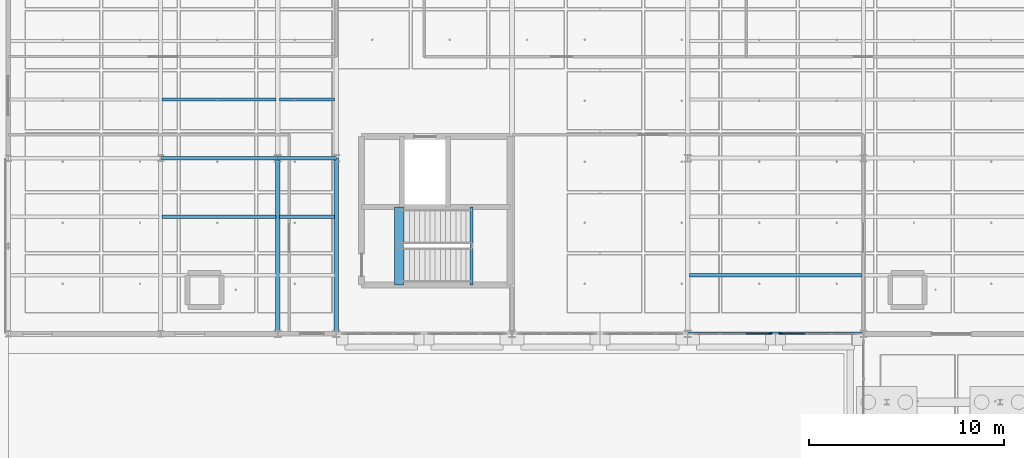
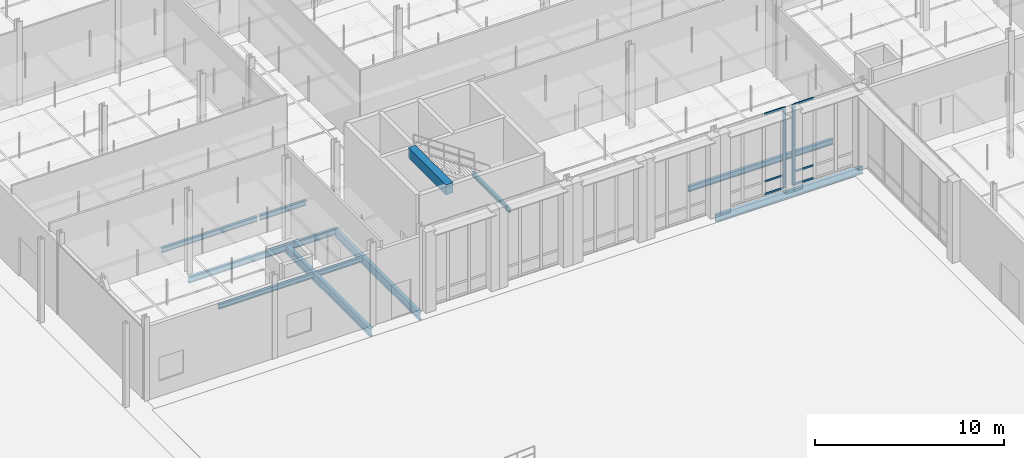
# One storey, part 55 of 180: 12 beams, 8 members, 2 elements without a shape of their own.
"""IFC4 building model written with IfcOpenShell, lengths in metres."""

from ifc_helpers import new_model, si_unit, direction, frame, origin, origin_2d, place, context, subcontext, project, spatial, rectangle, i_section, extrude, material, material_profile, profile_set, type_object, element, aggregate, save


model = new_model("IFC4")

# Units and contexts
model_context = context("Model", 3, precision=1e-05, world=origin(), true_north=direction((0.0, 1.0)))
body_context = subcontext(model_context, "Body", "Model", "MODEL_VIEW")
ifc_project = project(units=[si_unit("LENGTHUNIT", "METRE"), si_unit("AREAUNIT", "SQUARE_METRE"), si_unit("VOLUMEUNIT", "CUBIC_METRE"), si_unit("PLANEANGLEUNIT", "RADIAN"), si_unit("MASSUNIT", "GRAM", prefix="KILO"), si_unit("THERMODYNAMICTEMPERATUREUNIT", "KELVIN"), si_unit("POWERUNIT", "WATT")], contexts=[model_context])

# Site, building, storey
site_placement = place(None, origin())
site = spatial("IfcSite", under=ifc_project, at=site_placement, CompositionType="ELEMENT")
building_placement = place(site_placement, origin())
building = spatial("IfcBuilding", under=site, at=building_placement, Name="Tallowbark Science Centre", CompositionType="ELEMENT")
storey_placement = place(building_placement, origin())
storey = spatial("IfcBuildingStorey", under=building, at=storey_placement, Name="L00", CompositionType="ELEMENT", Elevation=0.0)

# Beams
ifc_material_1 = material(Name="Concrete Grade N40 (40 MPa)", Category="concrete")
ifc_material_profile_1 = material_profile(ifc_material_1, rectangle(XDim=0.449951171875, YDim=0.64990234375, at=origin_2d()), Name="RC450x650")
ifc_profile_set_1 = profile_set([ifc_material_profile_1], Name="Concrete Grade N40 (40 MPa)")
beam_type_1 = type_object("IfcBeamType", Name="BM-GB2-N40", PredefinedType="BEAM", material=ifc_profile_set_1)
beam_1_placement = place(storey_placement, frame((75.2099609375, 74.5, 5.074951171875), z_axis=(0.0, 1.0, 0.0), x_axis=(-1.0, 0.0, 0.0)))
element("IfcBeam", 1, at=beam_1_placement, inside=storey, type_object=beam_type_1, Name="Stair ST-01 Landing Nosing Beam L00", PredefinedType="BEAM", context=body_context, shape_type="SweptSolid", body=[
    extrude(rectangle(XDim=0.449951171875, YDim=0.64990234375, at=origin_2d()), origin(), (0.0, 0.0, 1.0), 3.9951171875),
])
ifc_material_2 = material(Name="Structural Steel Grade 300PLUS (300 MPa)", Category="steel")
ifc_material_profile_2 = material_profile(ifc_material_2, i_section(OverallWidth=0.177734375, OverallDepth=0.406494140625, WebThickness=0.0078125, FlangeThickness=0.0126953125, FilletRadius=0.011474609375, at=origin_2d()), Name="410UB59.7")
ifc_profile_set_2 = profile_set([ifc_material_profile_2], Name="Structural Steel Grade 300PLUS (300 MPa)")
beam_type_2 = type_object("IfcBeamType", Name="BM-UB410", PredefinedType="BEAM", material=ifc_profile_set_2)
beam_2_placement = place(storey_placement, frame((63.0, 81.0, -0.443115234375), z_axis=(1.0, 0.0, 0.0), x_axis=(0.0, 1.0, 0.0)))
element("IfcBeam", 2, at=beam_2_placement, inside=storey, type_object=beam_type_2, Name="Primary Girder GRDX-L00-630-690-810", PredefinedType="BEAM", context=body_context, shape_type="SweptSolid", body=[
    extrude(i_section(OverallWidth=0.177734375, OverallDepth=0.406494140625, WebThickness=0.0078125, FlangeThickness=0.0126953125, FilletRadius=0.011474609375, at=origin_2d()), origin(), (0.0, 0.0, 1.0), 6.0),
])
beam_3_placement = place(storey_placement, frame((69.0, 81.0, -0.443115234375), z_axis=(1.0, 0.0, 0.0), x_axis=(0.0, 1.0, 0.0)))
element("IfcBeam", 3, at=beam_3_placement, inside=storey, type_object=beam_type_2, Name="Primary Girder GRDX-L00-690-720-810", PredefinedType="BEAM", context=body_context, shape_type="SweptSolid", body=[
    extrude(i_section(OverallWidth=0.177734375, OverallDepth=0.406494140625, WebThickness=0.0078125, FlangeThickness=0.0126953125, FilletRadius=0.011474609375, at=origin_2d()), origin(), (0.0, 0.0, 1.0), 3.0),
])
ifc_material_profile_3 = material_profile(ifc_material_2, i_section(OverallWidth=0.208740234375, OverallDepth=0.5283203125, WebThickness=0.009521484375, FlangeThickness=0.01318359375, FilletRadius=0.013916015625, at=origin_2d()), Name="530UB82.0")
ifc_profile_set_3 = profile_set([ifc_material_profile_3], Name="Structural Steel Grade 300PLUS (300 MPa)")
beam_type_3 = type_object("IfcBeamType", Name="BM-UB530B", PredefinedType="BEAM", material=ifc_profile_set_3)
for number, where, z_axis, x_axis, name in (
    (4, (69.0, 72.0, -0.504150390625), (0.0, 1.0, 0.0), (-1.0, 0.0, 0.0), "Primary Girder GRDY-L00-690-720-810"),
    (5, (72.0, 72.0, -0.504150390625), (0.0, 1.0, 0.0), (-1.0, 0.0, 0.0), "Primary Girder GRDY-L00-720-720-810"),
):
    element("IfcBeam", number, at=place(storey_placement, frame(where, z_axis=z_axis, x_axis=x_axis)), inside=storey, type_object=beam_type_3, Name=name, PredefinedType="BEAM", context=body_context, shape_type="SweptSolid", body=[
        extrude(i_section(OverallWidth=0.208740234375, OverallDepth=0.5283203125, WebThickness=0.009521484375, FlangeThickness=0.01318359375, FilletRadius=0.013916015625, at=origin_2d()), origin(), (0.0, 0.0, 1.0), 9.0),
    ])

# Curtain wall, member
ifc_material_3 = material(Name="Unitised Thermally Broken Aluminium and Low-E Double Glazing", Category="aluminium")
curtain_wall_type = type_object("IfcCurtainWallType", Name="CW-SYS-FACADE", PredefinedType="NOTDEFINED", material=ifc_material_3)
curtain_wall_1_placement = place(storey_placement, origin())
curtain_wall_1 = element("IfcCurtainWall", 6, at=curtain_wall_1_placement, inside=storey, type_object=curtain_wall_type, Name="Unitised Curtain Wall LAB-S-90A CW-L00-026", PredefinedType="NOTDEFINED")
ifc_material_4 = material(Name="Anodised Architectural Aluminium Alloy 6063-T6", Category="aluminium")
ifc_material_profile_4 = material_profile(ifc_material_4, rectangle(XDim=0.06494140625, YDim=0.179931640625, at=origin_2d()), Name="ALU65x180")
ifc_profile_set_4 = profile_set([ifc_material_profile_4], Name="Anodised Architectural Aluminium Alloy 6063-T6")
member_type_1 = type_object("IfcMemberType", Name="CWM-MUL-220", PredefinedType="MULLION", material=ifc_profile_set_4)
member_1_placement = place(storey_placement, frame((94.217529296875, 72.0, 0.0), z_axis=(0.0, 0.0, 1.0), x_axis=(0.0, 1.0, 0.0)))
member_1 = element("IfcMember", 7, at=member_1_placement, type_object=member_type_1, Name="CW-01 mullion 4", PredefinedType="MULLION", context=body_context, shape_type="SweptSolid", body=[
    extrude(rectangle(XDim=0.06494140625, YDim=0.179931640625, at=origin_2d()), origin(), (0.0, 0.0, 1.0), 5.219970703125),
])

curtain_wall_2_placement = place(storey_placement, origin())
curtain_wall_2 = element("IfcCurtainWall", 8, at=curtain_wall_2_placement, inside=storey, type_object=curtain_wall_type, Name="Unitised Curtain Wall LAB-S-90B CW-L00-027", PredefinedType="NOTDEFINED")
member_2_placement = place(storey_placement, frame((94.782470703125, 72.0, 0.0), z_axis=(0.0, 0.0, 1.0), x_axis=(0.0, 1.0, 0.0)))
member_2 = element("IfcMember", 9, at=member_2_placement, type_object=member_type_1, Name="CW-01 mullion 1", PredefinedType="MULLION", context=body_context, shape_type="SweptSolid", body=[
    extrude(rectangle(XDim=0.06494140625, YDim=0.179931640625, at=origin_2d()), origin(), (0.0, 0.0, 1.0), 5.219970703125),
])

# Member
ifc_material_profile_5 = material_profile(ifc_material_4, rectangle(XDim=0.054931640625, YDim=0.1201171875, at=origin_2d()), Name="ALU55x120")
ifc_profile_set_5 = profile_set([ifc_material_profile_5], Name="Anodised Architectural Aluminium Alloy 6063-T6")
member_type_2 = type_object("IfcMemberType", Name="CWM-TRN-150", PredefinedType="USERDEFINED", material=ifc_profile_set_5)
member_3_placement = place(storey_placement, frame((92.982421875, 72.0, 0.027587890625), z_axis=(1.0, 0.0, 0.0), x_axis=(0.0, 1.0, 0.0)))
member_3 = element("IfcMember", 10, at=member_3_placement, type_object=member_type_2, Name="CW-01 transom 3.1", ObjectType="TRANSOM", PredefinedType="USERDEFINED", context=body_context, shape_type="SweptSolid", body=[
    extrude(rectangle(XDim=0.054931640625, YDim=0.1201171875, at=origin_2d()), origin(), (0.0, 0.0, 1.0), 1.20263671875),
])

member_4_placement = place(storey_placement, frame((92.982421875, 72.0, 0.85009765625), z_axis=(1.0, 0.0, 0.0), x_axis=(0.0, 1.0, 0.0)))
member_4 = element("IfcMember", 11, at=member_4_placement, type_object=member_type_2, Name="CW-01 transom 3.2", ObjectType="TRANSOM", PredefinedType="USERDEFINED", context=body_context, shape_type="SweptSolid", body=[
    extrude(rectangle(XDim=0.054931640625, YDim=0.1201171875, at=origin_2d()), origin(), (0.0, 0.0, 1.0), 1.20263671875),
])

member_5_placement = place(storey_placement, frame((92.982421875, 72.0, 5.1923828125), z_axis=(1.0, 0.0, 0.0), x_axis=(0.0, 1.0, 0.0)))
member_5 = element("IfcMember", 12, at=member_5_placement, type_object=member_type_2, Name="CW-01 transom 3.3", ObjectType="TRANSOM", PredefinedType="USERDEFINED", context=body_context, shape_type="SweptSolid", body=[
    extrude(rectangle(XDim=0.054931640625, YDim=0.1201171875, at=origin_2d()), origin(), (0.0, 0.0, 1.0), 1.20263671875),
])

aggregate(curtain_wall_1, [member_1, member_3, member_4, member_5])

member_6_placement = place(storey_placement, frame((94.81494140625, 72.0, 0.027587890625), z_axis=(1.0, 0.0, 0.0), x_axis=(0.0, 1.0, 0.0)))
member_6 = element("IfcMember", 13, at=member_6_placement, type_object=member_type_2, Name="CW-01 transom 1.1", ObjectType="TRANSOM", PredefinedType="USERDEFINED", context=body_context, shape_type="SweptSolid", body=[
    extrude(rectangle(XDim=0.054931640625, YDim=0.1201171875, at=origin_2d()), origin(), (0.0, 0.0, 1.0), 1.20263671875),
])

member_7_placement = place(storey_placement, frame((94.81494140625, 72.0, 0.85009765625), z_axis=(1.0, 0.0, 0.0), x_axis=(0.0, 1.0, 0.0)))
member_7 = element("IfcMember", 14, at=member_7_placement, type_object=member_type_2, Name="CW-01 transom 1.2", ObjectType="TRANSOM", PredefinedType="USERDEFINED", context=body_context, shape_type="SweptSolid", body=[
    extrude(rectangle(XDim=0.054931640625, YDim=0.1201171875, at=origin_2d()), origin(), (0.0, 0.0, 1.0), 1.20263671875),
])

member_8_placement = place(storey_placement, frame((94.81494140625, 72.0, 5.1923828125), z_axis=(1.0, 0.0, 0.0), x_axis=(0.0, 1.0, 0.0)))
member_8 = element("IfcMember", 15, at=member_8_placement, type_object=member_type_2, Name="CW-01 transom 1.3", ObjectType="TRANSOM", PredefinedType="USERDEFINED", context=body_context, shape_type="SweptSolid", body=[
    extrude(rectangle(XDim=0.054931640625, YDim=0.1201171875, at=origin_2d()), origin(), (0.0, 0.0, 1.0), 1.20263671875),
])

aggregate(curtain_wall_2, [member_2, member_6, member_7, member_8])

# Beams
ifc_material_profile_6 = material_profile(ifc_material_2, i_section(OverallWidth=0.146484375, OverallDepth=0.256103515625, WebThickness=0.00634765625, FlangeThickness=0.010986328125, FilletRadius=0.0087890625, at=origin_2d()), Name="250UB37.3")
ifc_profile_set_6 = profile_set([ifc_material_profile_6], Name="Structural Steel Grade 300PLUS (300 MPa)")
beam_type_4 = type_object("IfcBeamType", Name="JST-UB250", PredefinedType="JOIST", material=ifc_profile_set_6)
beam_4_placement = place(storey_placement, frame((78.919921875, 74.5, 2.371826171875), z_axis=(0.0, 1.0, 0.0), x_axis=(-1.0, 0.0, 0.0)))
element("IfcBeam", 16, at=beam_4_placement, inside=storey, type_object=beam_type_4, Name="Stair ST-01 Half-Landing Trimmer L00", PredefinedType="JOIST", context=body_context, shape_type="SweptSolid", body=[
    extrude(i_section(OverallWidth=0.146484375, OverallDepth=0.256103515625, WebThickness=0.00634765625, FlangeThickness=0.010986328125, FilletRadius=0.0087890625, at=origin_2d()), origin(), (0.0, 0.0, 1.0), 3.9951171875),
])
ifc_material_profile_7 = material_profile(ifc_material_2, i_section(OverallWidth=0.166015625, OverallDepth=0.30712890625, WebThickness=0.006591796875, FlangeThickness=0.01171875, FilletRadius=0.011474609375, at=origin_2d()), Name="310UB46.2")
ifc_profile_set_7 = profile_set([ifc_material_profile_7], Name="Structural Steel Grade 300PLUS (300 MPa)")
beam_type_5 = type_object("IfcBeamType", Name="JST-UB310", PredefinedType="JOIST", material=ifc_profile_set_7)
beam_5_placement = place(storey_placement, frame((63.0849609375, 78.0, -0.3935546875), z_axis=(1.0, 0.0, 0.0), x_axis=(0.0, 1.0, 0.0)))
element("IfcBeam", 17, at=beam_5_placement, inside=storey, type_object=beam_type_5, Name="Composite Floor Joist JSTX-L00-630-780", PredefinedType="JOIST", context=body_context, shape_type="SweptSolid", body=[
    extrude(i_section(OverallWidth=0.166015625, OverallDepth=0.30712890625, WebThickness=0.006591796875, FlangeThickness=0.01171875, FilletRadius=0.011474609375, at=origin_2d()), origin(), (0.0, 0.0, 1.0), 5.830078125),
])
beam_6_placement = place(storey_placement, frame((69.0849609375, 78.0, -0.3935546875), z_axis=(1.0, 0.0, 0.0), x_axis=(0.0, 1.0, 0.0)))
element("IfcBeam", 18, at=beam_6_placement, inside=storey, type_object=beam_type_5, Name="Composite Floor Joist JSTX-L00-690-780", PredefinedType="JOIST", context=body_context, shape_type="SweptSolid", body=[
    extrude(i_section(OverallWidth=0.166015625, OverallDepth=0.30712890625, WebThickness=0.006591796875, FlangeThickness=0.01171875, FilletRadius=0.011474609375, at=origin_2d()), origin(), (0.0, 0.0, 1.0), 2.830078125),
])
beam_7_placement = place(storey_placement, frame((63.0849609375, 84.0, -0.3935546875), z_axis=(1.0, 0.0, 0.0), x_axis=(0.0, 1.0, 0.0)))
element("IfcBeam", 19, at=beam_7_placement, inside=storey, type_object=beam_type_5, Name="Composite Floor Joist JSTX-L00-630-840", PredefinedType="JOIST", context=body_context, shape_type="SweptSolid", body=[
    extrude(i_section(OverallWidth=0.166015625, OverallDepth=0.30712890625, WebThickness=0.006591796875, FlangeThickness=0.01171875, FilletRadius=0.011474609375, at=origin_2d()), origin(), (0.0, 0.0, 1.0), 5.830078125),
])
beam_8_placement = place(storey_placement, frame((69.0849609375, 84.0, -0.3935546875), z_axis=(1.0, 0.0, 0.0), x_axis=(0.0, 1.0, 0.0)))
element("IfcBeam", 20, at=beam_8_placement, inside=storey, type_object=beam_type_5, Name="Composite Floor Joist JSTX-L00-690-840", PredefinedType="JOIST", context=body_context, shape_type="SweptSolid", body=[
    extrude(i_section(OverallWidth=0.166015625, OverallDepth=0.30712890625, WebThickness=0.006591796875, FlangeThickness=0.01171875, FilletRadius=0.011474609375, at=origin_2d()), origin(), (0.0, 0.0, 1.0), 2.830078125),
])
ifc_material_profile_8 = material_profile(ifc_material_2, i_section(OverallWidth=0.172119140625, OverallDepth=0.358642578125, WebThickness=0.008056640625, FlangeThickness=0.012939453125, FilletRadius=0.011474609375, at=origin_2d()), Name="360UB56.7")
ifc_profile_set_8 = profile_set([ifc_material_profile_8], Name="Structural Steel Grade 300PLUS (300 MPa)")
beam_type_6 = type_object("IfcBeamType", Name="JST-UB360", PredefinedType="JOIST", material=ifc_profile_set_8)
beam_9_placement = place(storey_placement, frame((90.0849609375, 75.0, -0.419189453125), z_axis=(1.0, 0.0, 0.0), x_axis=(0.0, 1.0, 0.0)))
element("IfcBeam", 21, at=beam_9_placement, inside=storey, type_object=beam_type_6, Name="Composite Floor Joist JSTX-L00-900-750", PredefinedType="JOIST", context=body_context, shape_type="SweptSolid", body=[
    extrude(i_section(OverallWidth=0.172119140625, OverallDepth=0.358642578125, WebThickness=0.008056640625, FlangeThickness=0.012939453125, FilletRadius=0.011474609375, at=origin_2d()), origin(), (0.0, 0.0, 1.0), 8.830078125),
])
ifc_material_profile_9 = material_profile(ifc_material_2, i_section(OverallWidth=0.18994140625, OverallDepth=0.453857421875, WebThickness=0.008544921875, FlangeThickness=0.0126953125, FilletRadius=0.011474609375, at=origin_2d()), Name="460UB67.1")
ifc_profile_set_9 = profile_set([ifc_material_profile_9], Name="Structural Steel Grade 300PLUS (300 MPa)")
beam_type_7 = type_object("IfcBeamType", Name="SPN-UB460", PredefinedType="SPANDREL", material=ifc_profile_set_9)
beam_10_placement = place(storey_placement, frame((90.0, 72.0, -0.466796875), z_axis=(1.0, 0.0, 0.0), x_axis=(0.0, 1.0, 0.0)))
element("IfcBeam", 22, at=beam_10_placement, inside=storey, type_object=beam_type_7, Name="Primary Girder GRDX-L00-900-990-720", PredefinedType="SPANDREL", context=body_context, shape_type="SweptSolid", body=[
    extrude(i_section(OverallWidth=0.18994140625, OverallDepth=0.453857421875, WebThickness=0.008544921875, FlangeThickness=0.0126953125, FilletRadius=0.011474609375, at=origin_2d()), origin(), (0.0, 0.0, 1.0), 9.0),
])

save(model, "model.ifc")
